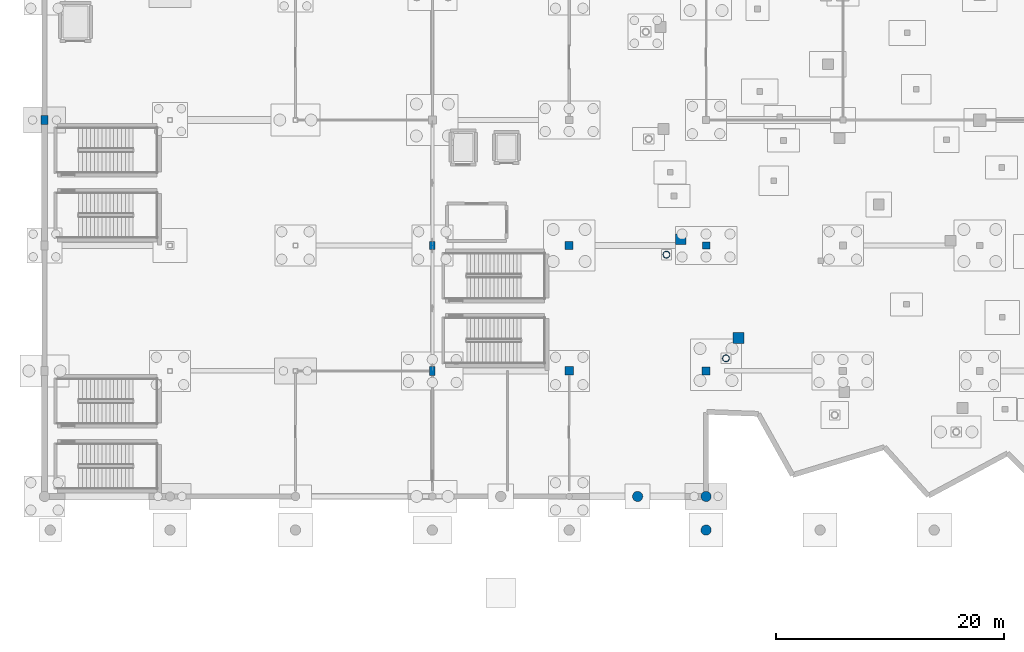
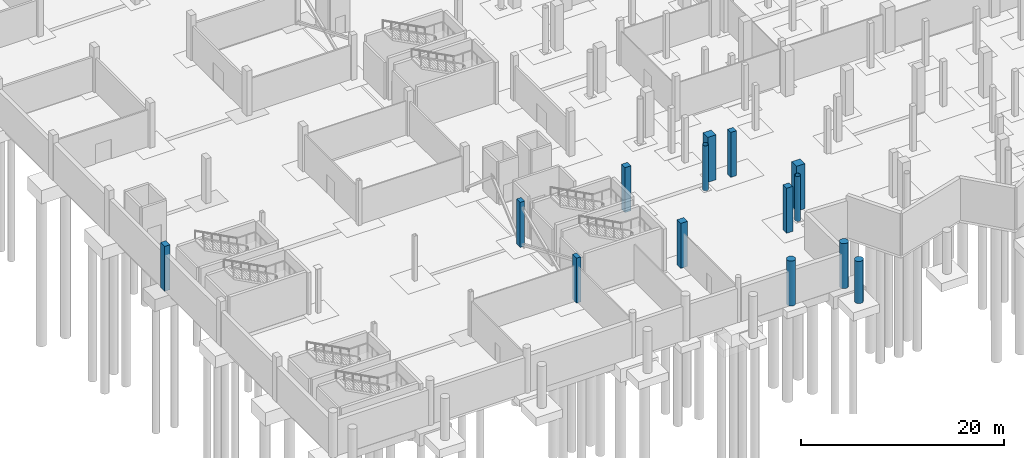
# One storey, part 10 of 60: 14 columns.
"""IFC4 building model written with IfcOpenShell, lengths in metres."""

from ifc_helpers import new_model, si_unit, direction, frame, origin, origin_2d, place, context, subcontext, project, spatial, rectangle, circle, hollow_circle, extrude, material, material_profile, profile_set, type_object, element, save


model = new_model("IFC4")

# Units and contexts
model_context = context("Model", 3, precision=1e-05, world=origin(), true_north=direction((0.0, 1.0)))
body_context = subcontext(model_context, "Body", "Model", "MODEL_VIEW")
ifc_project = project(units=[si_unit("LENGTHUNIT", "METRE"), si_unit("AREAUNIT", "SQUARE_METRE"), si_unit("VOLUMEUNIT", "CUBIC_METRE"), si_unit("PLANEANGLEUNIT", "RADIAN"), si_unit("MASSUNIT", "GRAM", prefix="KILO")], contexts=[model_context])

# Site, building, storey
site_placement = place(None, origin())
site = spatial("IfcSite", under=ifc_project, at=site_placement, CompositionType="ELEMENT")
building_placement = place(site_placement, origin())
building = spatial("IfcBuilding", under=site, at=building_placement, Name="Luwafu Chhajja Arena", CompositionType="ELEMENT")
storey_placement = place(building_placement, frame((0.0, 0.0, -5.39990234375)))
storey = spatial("IfcBuildingStorey", under=building, at=storey_placement, Name="B1", CompositionType="ELEMENT", Elevation=-5.39990234375)

# Columns
ifc_material_1 = material(Name="Concrete C35/45", Category="concrete")
ifc_material_profile_1 = material_profile(ifc_material_1, rectangle(XDim=0.5, YDim=0.800048828125, at=origin_2d()), Name="RC 500x800")
ifc_profile_set_1 = profile_set([ifc_material_profile_1], Name="Concrete C35/45")
column_type_1 = type_object("IfcColumnType", Name="BOH Frame Column RC 500x800", PredefinedType="COLUMN", material=ifc_profile_set_1)
column_1_placement = place(storey_placement, frame((34.0, 11.0, 0.0), z_axis=(0.0, 0.0, 1.0), x_axis=(1.0, 0.0, 0.0)))
element("IfcColumn", 1, at=column_1_placement, inside=storey, type_object=column_type_1, Name="B1 Grid Column 4/B", PredefinedType="COLUMN", context=body_context, shape_type="SweptSolid", body=[
    extrude(rectangle(XDim=0.5, YDim=0.800048828125, at=origin_2d()), origin(), (0.0, 0.0, 1.0), 5.39990234375),
])
ifc_material_2 = material(Name="Concrete C40/50", Category="concrete")
ifc_material_profile_2 = material_profile(ifc_material_2, rectangle(XDim=0.949951171875, YDim=0.949951171875, at=origin_2d()), Name="RC 950x950")
ifc_profile_set_2 = profile_set([ifc_material_profile_2], Name="Concrete C40/50")
column_type_2 = type_object("IfcColumnType", Name="Bowl Raker Support Column RC 950", PredefinedType="COLUMN", material=ifc_profile_set_2)
for number, where, z_axis, x_axis, name in (
    (2, (55.772705078125, 22.5419921875, 0.0), (0.0, 0.0, 1.0), (1.0, 0.0, 0.0), "B1 Upper Bowl Raker Column UO20"),
    (3, (60.84619140625, 13.8896484375, 0.0), (0.0, 0.0, 1.0), (1.0, 0.0, 0.0), "B1 Upper Bowl Raker Column UO21"),
):
    element("IfcColumn", number, at=place(storey_placement, frame(where, z_axis=z_axis, x_axis=x_axis)), inside=storey, type_object=column_type_2, Name=name, PredefinedType="COLUMN", context=body_context, shape_type="SweptSolid", body=[
        extrude(rectangle(XDim=0.949951171875, YDim=0.949951171875, at=origin_2d()), origin(), (0.0, 0.0, 1.0), 5.39990234375),
    ])
ifc_material_profile_3 = material_profile(ifc_material_1, rectangle(XDim=0.75, YDim=0.75, at=origin_2d()), Name="RC 750x750")
ifc_profile_set_3 = profile_set([ifc_material_profile_3], Name="Concrete C35/45")
column_type_3 = type_object("IfcColumnType", Name="Hospitality Ring Column RC 750", PredefinedType="COLUMN", material=ifc_profile_set_3)
column_2_placement = place(storey_placement, frame((46.0, 11.0, 0.0), z_axis=(0.0, 0.0, 1.0), x_axis=(1.0, 0.0, 0.0)))
element("IfcColumn", 4, at=column_2_placement, inside=storey, type_object=column_type_3, Name="B1 Grid Column 5/B", PredefinedType="COLUMN", context=body_context, shape_type="SweptSolid", body=[
    extrude(rectangle(XDim=0.75, YDim=0.75, at=origin_2d()), origin(), (0.0, 0.0, 1.0), 5.39990234375),
])
ifc_material_profile_4 = material_profile(ifc_material_2, circle(Radius=0.449951171875, at=origin_2d()), Name="RC COL D900")
ifc_profile_set_4 = profile_set([ifc_material_profile_4], Name="Concrete C40/50")
column_type_4 = type_object("IfcColumnType", Name="Mughal Colonnade Drum Pier D900", PredefinedType="COLUMN", material=ifc_profile_set_4)
for number, where, z_axis, x_axis, name in (
    (5, (58.0, 0.0, 0.0), (0.0, 0.0, 1.0), (1.0, 0.0, 0.0), "B1 Grid Column 6/A"),
    (6, (52.0, 0.0, 0.0), (0.0, 0.0, 1.0), (1.0, 0.0, 0.0), "B1 Mughal Riwaq Colonnade Pier SLW04"),
):
    element("IfcColumn", number, at=place(storey_placement, frame(where, z_axis=z_axis, x_axis=x_axis)), inside=storey, type_object=column_type_4, Name=name, PredefinedType="COLUMN", context=body_context, shape_type="SweptSolid", body=[
        extrude(circle(Radius=0.449951171875, at=origin_2d()), origin(), (0.0, 0.0, 1.0), 5.39990234375),
    ])
column_3_placement = place(storey_placement, frame((58.0, -2.949951171875, 0.0), z_axis=(0.0, 0.0, 1.0), x_axis=(1.0, 0.0, 0.0)))
element("IfcColumn", 7, at=column_3_placement, inside=storey, type_object=column_type_4, Name="B1 Plinth Apron Pier FC06", PredefinedType="COLUMN", context=body_context, shape_type="SweptSolid", body=[
    extrude(circle(Radius=0.449951171875, at=origin_2d()), origin(), (0.0, 0.0, 1.0), 5.0498046875),
])
ifc_material_profile_5 = material_profile(ifc_material_1, rectangle(XDim=0.5, YDim=0.699951171875, at=origin_2d()), Name="RC 500x700")
ifc_profile_set_5 = profile_set([ifc_material_profile_5], Name="Concrete C35/45")
column_type_5 = type_object("IfcColumnType", Name="Perimeter Pilaster Column RC 500x700", PredefinedType="COLUMN", material=ifc_profile_set_5)
column_4_placement = place(storey_placement, frame((34.0, 22.0, 0.0), z_axis=(0.0, 0.0, 1.0), x_axis=(1.0, 0.0, 0.0)))
element("IfcColumn", 8, at=column_4_placement, inside=storey, type_object=column_type_5, Name="B1 Grid Column 4/C", PredefinedType="COLUMN", context=body_context, shape_type="SweptSolid", body=[
    extrude(rectangle(XDim=0.5, YDim=0.699951171875, at=origin_2d()), origin(), (0.0, 0.0, 1.0), 5.39990234375),
])
ifc_material_profile_6 = material_profile(ifc_material_2, rectangle(XDim=0.60009765625, YDim=0.800048828125, at=origin_2d()), Name="RC 600x800")
ifc_profile_set_6 = profile_set([ifc_material_profile_6], Name="Concrete C40/50")
column_type_6 = type_object("IfcColumnType", Name="Pishtaq Pier Column RC 600x800", PredefinedType="COLUMN", material=ifc_profile_set_6)
column_5_placement = place(storey_placement, frame((0.0, 33.0, 0.0), z_axis=(0.0, 0.0, 1.0), x_axis=(1.0, 0.0, 0.0)))
element("IfcColumn", 9, at=column_5_placement, inside=storey, type_object=column_type_6, Name="B1 Grid Column 1/D", PredefinedType="COLUMN", context=body_context, shape_type="SweptSolid", body=[
    extrude(rectangle(XDim=0.60009765625, YDim=0.800048828125, at=origin_2d()), origin(), (0.0, 0.0, 1.0), 5.39990234375),
])
ifc_material_3 = material(Name="Steel S355", Category="steel")
ifc_material_profile_7 = material_profile(ifc_material_3, hollow_circle(Radius=0.304931640625, WallThickness=0.02490234375, at=origin_2d()), Name="CHS 610x25")
ifc_profile_set_7 = profile_set([ifc_material_profile_7], Name="Steel S355")
column_type_7 = type_object("IfcColumnType", Name="Steel Bowl Drum Column CHS 610", PredefinedType="COLUMN", material=ifc_profile_set_7)
for number, where, z_axis, x_axis, name in (
    (10, (54.52392578125, 21.194091796875, 0.0), (0.0, 0.0, 1.0), (1.0, 0.0, 0.0), "B1 Bowl Drum Column D20"),
    (11, (59.743896484375, 12.109130859375, 0.0), (0.0, 0.0, 1.0), (1.0, 0.0, 0.0), "B1 Bowl Drum Column D21"),
):
    element("IfcColumn", number, at=place(storey_placement, frame(where, z_axis=z_axis, x_axis=x_axis)), inside=storey, type_object=column_type_7, Name=name, PredefinedType="COLUMN", context=body_context, shape_type="SweptSolid", body=[
        extrude(hollow_circle(Radius=0.304931640625, WallThickness=0.02490234375, at=origin_2d()), origin(), (0.0, 0.0, 1.0), 5.39990234375),
    ])
ifc_material_profile_8 = material_profile(ifc_material_1, rectangle(XDim=0.64990234375, YDim=0.64990234375, at=origin_2d()), Name="RC 650x650")
ifc_profile_set_8 = profile_set([ifc_material_profile_8], Name="Concrete C35/45")
column_type_8 = type_object("IfcColumnType", Name="Upper Wing Column RC 650", PredefinedType="COLUMN", material=ifc_profile_set_8)
column_6_placement = place(storey_placement, frame((58.0, 22.0, 0.0), z_axis=(0.0, 0.0, 1.0), x_axis=(1.0, 0.0, 0.0)))
element("IfcColumn", 12, at=column_6_placement, inside=storey, type_object=column_type_8, Name="B1 Grid Column 6/C", PredefinedType="COLUMN", context=body_context, shape_type="SweptSolid", body=[
    extrude(rectangle(XDim=0.64990234375, YDim=0.64990234375, at=origin_2d()), origin(), (0.0, 0.0, 1.0), 5.39990234375),
])
ifc_material_profile_9 = material_profile(ifc_material_1, rectangle(XDim=0.699951171875, YDim=0.699951171875, at=origin_2d()), Name="RC 700x700")
ifc_profile_set_9 = profile_set([ifc_material_profile_9], Name="Concrete C35/45")
column_type_9 = type_object("IfcColumnType", Name="Wing Frame Column RC 700", PredefinedType="COLUMN", material=ifc_profile_set_9)
for number, where, z_axis, x_axis, name in (
    (13, (46.0, 22.0, 0.0), (0.0, 0.0, 1.0), (1.0, 0.0, 0.0), "B1 Grid Column 5/C"),
    (14, (58.0, 11.0, 0.0), (0.0, 0.0, 1.0), (1.0, 0.0, 0.0), "B1 Grid Column 6/B"),
):
    element("IfcColumn", number, at=place(storey_placement, frame(where, z_axis=z_axis, x_axis=x_axis)), inside=storey, type_object=column_type_9, Name=name, PredefinedType="COLUMN", context=body_context, shape_type="SweptSolid", body=[
        extrude(rectangle(XDim=0.699951171875, YDim=0.699951171875, at=origin_2d()), origin(), (0.0, 0.0, 1.0), 5.39990234375),
    ])

save(model, "model.ifc")
